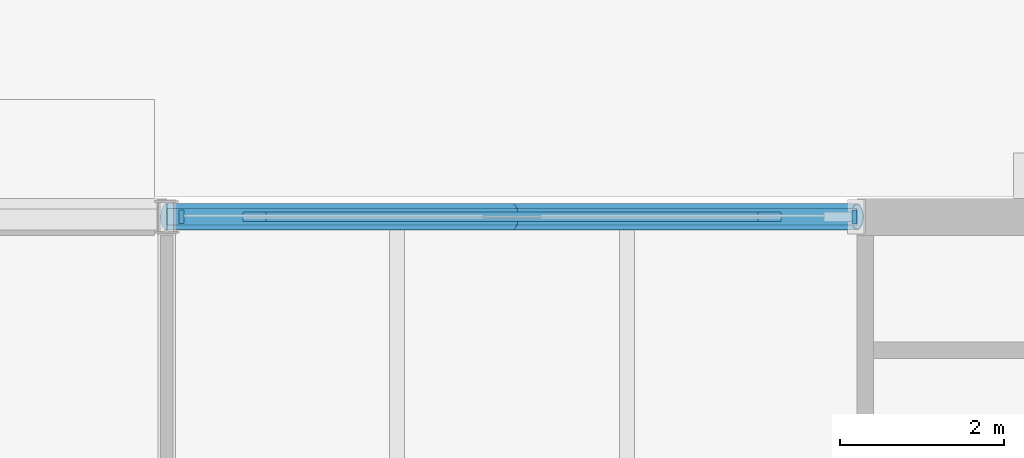
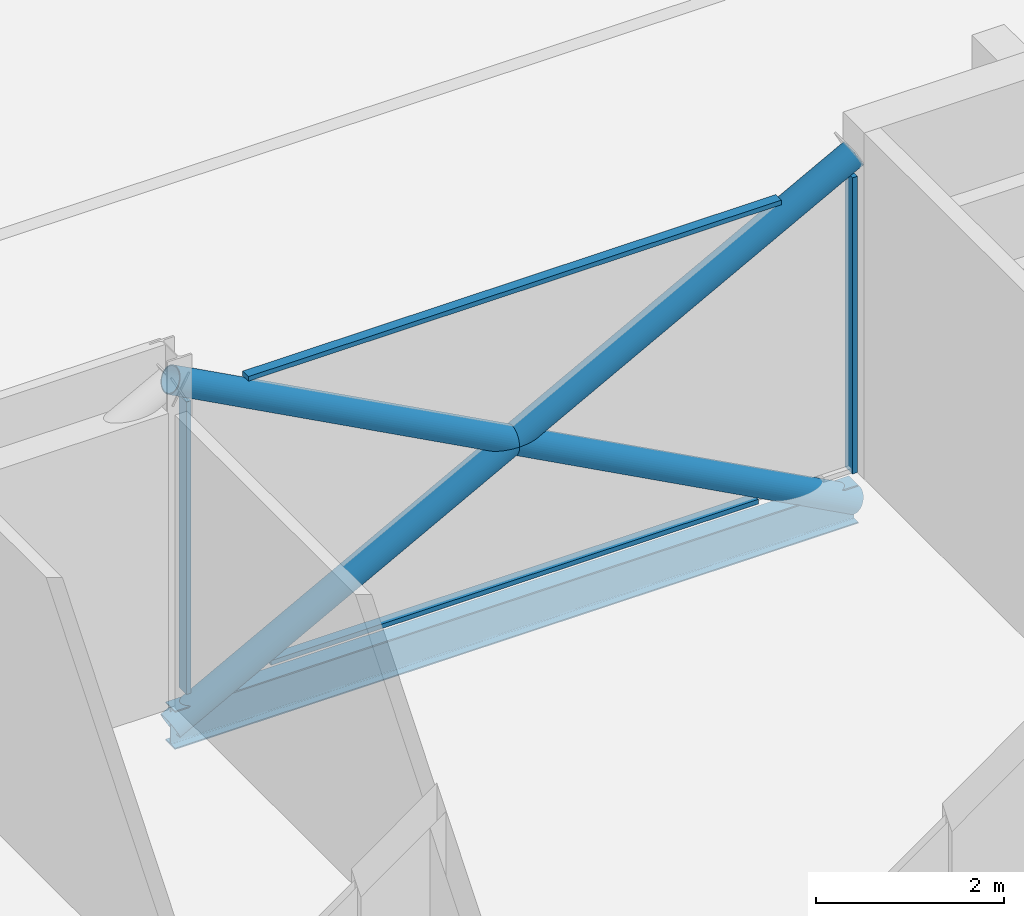
# One storey, part 54 of 116: 7 members, 1 beam, 1 element without a shape of its own.
"""IFC4 building model written with IfcOpenShell, lengths in metres."""

from ifc_helpers import new_model, si_unit, direction, frame, origin, origin_2d, place, context, subcontext, project, spatial, rectangle, hollow_circle, i_section, extrude, material, layer, layer_set, material_profile, profile_set, type_object, element, aggregate, save


model = new_model("IFC4")

# Units and contexts
model_context = context("Model", 3, precision=1e-05, world=origin(), true_north=direction((0.0, 1.0)))
body_context = subcontext(model_context, "Body", "Model", "MODEL_VIEW")
ifc_project = project(units=[si_unit("LENGTHUNIT", "METRE"), si_unit("AREAUNIT", "SQUARE_METRE"), si_unit("VOLUMEUNIT", "CUBIC_METRE"), si_unit("PLANEANGLEUNIT", "RADIAN"), si_unit("MASSUNIT", "GRAM", prefix="KILO")], contexts=[model_context])

# Site, building, storey
site_placement = place(None, origin())
site = spatial("IfcSite", under=ifc_project, at=site_placement, CompositionType="ELEMENT")
building_placement = place(site_placement, origin())
building = spatial("IfcBuilding", under=site, at=building_placement, Name="Ardhachandra Cancer Care Centre", CompositionType="ELEMENT")
storey_placement = place(building_placement, origin())
storey = spatial("IfcBuildingStorey", under=building, at=storey_placement, Name="L00", CompositionType="ELEMENT", Elevation=0.0)

# Beam
ifc_material_1 = material(Name="Steel E350 (IS 2062)", Category="steel")
ifc_material_profile_1 = material_profile(ifc_material_1, i_section(OverallWidth=0.199951171875, OverallDepth=0.5, WebThickness=0.01025390625, FlangeThickness=0.01611328125, FilletRadius=0.02099609375, at=origin_2d()), Name="NPB 500x200x90.68")
ifc_profile_set_1 = profile_set([ifc_material_profile_1], Name="Steel E350 (IS 2062)")
beam_type = type_object("IfcBeamType", Name="Beam NPB 500x200x90.68", PredefinedType="BEAM", material=ifc_profile_set_1)
beam_placement = place(storey_placement, frame((27.60009765625, 96.60009765625, -0.39990234375), z_axis=(1.0, 0.0, 0.0), x_axis=(0.0, 1.0, 0.0)))
element("IfcBeam", 1, at=beam_placement, inside=storey, type_object=beam_type, Name="Edge girder L3-L4", PredefinedType="BEAM", context=body_context, shape_type="SweptSolid", body=[
    extrude(i_section(OverallWidth=0.199951171875, OverallDepth=0.5, WebThickness=0.01025390625, FlangeThickness=0.01611328125, FilletRadius=0.02099609375, at=origin_2d()), origin(), (0.0, 0.0, 1.0), 8.39990234375),
])

# Members
ifc_material_2 = material(Name="Steel E350 (IS 2062)", Category="steel")
ifc_material_profile_2 = material_profile(ifc_material_2, hollow_circle(Radius=0.161865234375, WallThickness=0.012451171875, at=origin_2d()), Name="CHS 323.9x12.5")
ifc_profile_set_2 = profile_set([ifc_material_profile_2], Name="Steel E350 (IS 2062)")
member_type_1 = type_object("IfcMemberType", Name="Brace CHS 323.9x12.5", PredefinedType="BRACE", material=ifc_profile_set_2)
member_1_placement = place(storey_placement, frame((27.60009765625, 96.60009765625, -0.39990234375), z_axis=(0.881477684796, 0.0, 0.472225678258), x_axis=(0.0, 1.0, 0.0)))
element("IfcMember", 2, at=member_1_placement, inside=storey, type_object=member_type_1, Name="Brace V6-X966-276 L00 A", PredefinedType="BRACE", context=body_context, shape_type="SweptSolid", body=[
    extrude(hollow_circle(Radius=0.161865234375, WallThickness=0.012451171875, at=origin_2d()), origin(), (0.0, 0.0, 1.0), 9.529296875),
])
for number, where, z_axis, x_axis, name in (
    (3, (36.0, 96.60009765625, -0.39990234375), (-0.881477684796, 0.0, 0.472225678258), (0.0, -1.0, 0.0), "Brace V6-X966-276 L00 B1"),
    (4, (31.800048828125, 96.60009765625, 1.85009765625), (-0.881477684796, 0.0, 0.472225678258), (0.0, -1.0, 0.0), "Brace V6-X966-276 L00 B2"),
):
    element("IfcMember", number, at=place(storey_placement, frame(where, z_axis=z_axis, x_axis=x_axis)), inside=storey, type_object=member_type_1, Name=name, PredefinedType="BRACE", context=body_context, shape_type="SweptSolid", body=[
        extrude(hollow_circle(Radius=0.161865234375, WallThickness=0.012451171875, at=origin_2d()), origin(), (0.0, 0.0, 1.0), 4.7646484375),
    ])

# Curtain wall, members
ifc_material_3 = material(Name="Aluminium extrusion", Category="aluminium")
ifc_layer = layer(ifc_material_3, 0.14990234375)
ifc_layer_set = layer_set([ifc_layer], Name="Aluminium extrusion")
curtain_wall_type = type_object("IfcCurtainWallType", Name="Curtain wall run", PredefinedType="NOTDEFINED", material=ifc_layer_set)
curtain_wall_placement = place(storey_placement, origin())
curtain_wall = element("IfcCurtainWall", 5, at=curtain_wall_placement, inside=storey, type_object=curtain_wall_type, Name="Curtain wall L00 n/0027600_0096600", PredefinedType="NOTDEFINED")
ifc_material_4 = material(Name="Aluminium extrusion", Category="aluminium")
ifc_material_profile_3 = material_profile(ifc_material_4, rectangle(XDim=0.159912109375, YDim=0.06005859375, at=origin_2d()), Name="Curtain wall mullion 60 x 160")
ifc_profile_set_3 = profile_set([ifc_material_profile_3], Name="Aluminium extrusion")
member_type_2 = type_object("IfcMemberType", Name="Curtain wall mullion 60 x 160", PredefinedType="MULLION", material=ifc_profile_set_3)
member_2_placement = place(storey_placement, frame((27.780029296875, 96.60009765625, 0.0), z_axis=(0.0, 0.0, 1.0), x_axis=(0.0, 1.0, 0.0)))
member_2 = element("IfcMember", 6, at=member_2_placement, type_object=member_type_2, Name="CW mullion 1", PredefinedType="MULLION", context=body_context, shape_type="SweptSolid", body=[
    extrude(rectangle(XDim=0.159912109375, YDim=0.06005859375, at=origin_2d()), origin(), (0.0, 0.0, 1.0), 3.8017578125),
])
member_3_placement = place(storey_placement, frame((35.969970703125, 96.60009765625, 0.0), z_axis=(0.0, 0.0, 1.0), x_axis=(0.0, 1.0, 0.0)))
member_3 = element("IfcMember", 7, at=member_3_placement, type_object=member_type_2, Name="CW mullion 2", PredefinedType="MULLION", context=body_context, shape_type="SweptSolid", body=[
    extrude(rectangle(XDim=0.159912109375, YDim=0.06005859375, at=origin_2d()), origin(), (0.0, 0.0, 1.0), 3.85009765625),
])
ifc_material_5 = material(Name="Aluminium extrusion", Category="aluminium")
ifc_material_profile_4 = material_profile(ifc_material_5, rectangle(XDim=0.1201171875, YDim=0.06005859375, at=origin_2d()), Name="Curtain wall transom 60 x 120")
ifc_profile_set_4 = profile_set([ifc_material_profile_4], Name="Aluminium extrusion")
member_type_3 = type_object("IfcMemberType", Name="Curtain wall transom 60 x 120", PredefinedType="USERDEFINED", material=ifc_profile_set_4)
member_4_placement = place(storey_placement, frame((28.8046875, 96.60009765625, 0.030029296875), z_axis=(1.0, 0.0, 0.0), x_axis=(0.0, 1.0, 0.0)))
member_4 = element("IfcMember", 8, at=member_4_placement, type_object=member_type_3, Name="CW transom 1.1", ObjectType="TRANSOM", PredefinedType="USERDEFINED", context=body_context, shape_type="SweptSolid", body=[
    extrude(rectangle(XDim=0.1201171875, YDim=0.06005859375, at=origin_2d()), origin(), (0.0, 0.0, 1.0), 5.991455078125),
])
member_5_placement = place(storey_placement, frame((28.523681640625, 96.60009765625, 3.820068359375), z_axis=(1.0, 0.0, 0.0), x_axis=(0.0, 1.0, 0.0)))
member_5 = element("IfcMember", 9, at=member_5_placement, type_object=member_type_3, Name="CW transom 1.2", ObjectType="TRANSOM", PredefinedType="USERDEFINED", context=body_context, shape_type="SweptSolid", body=[
    extrude(rectangle(XDim=0.1201171875, YDim=0.06005859375, at=origin_2d()), origin(), (0.0, 0.0, 1.0), 6.552490234375),
])
aggregate(curtain_wall, [member_2, member_3, member_4, member_5])

save(model, "model.ifc")
